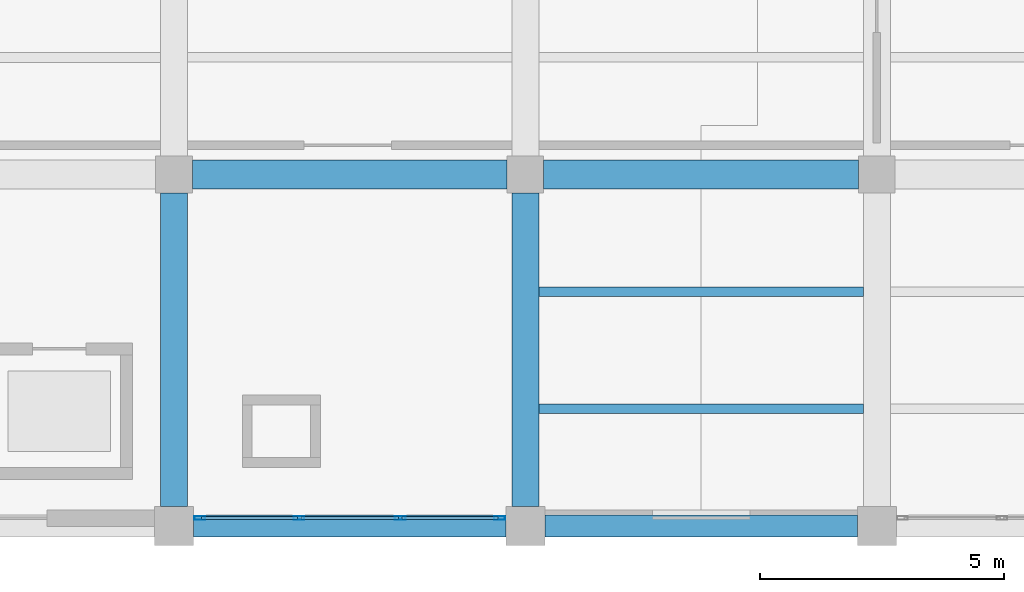
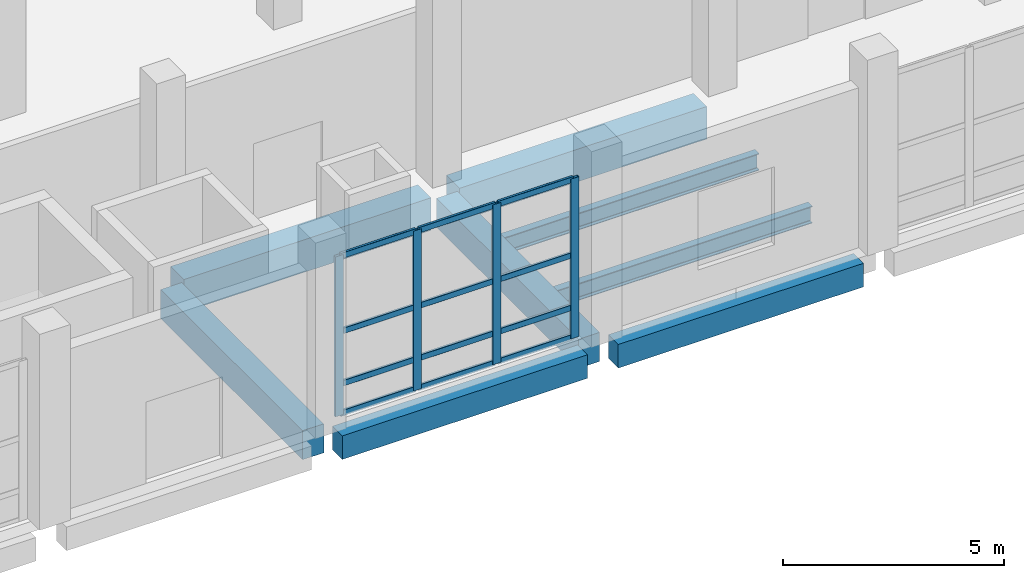
# One storey, part 62 of 137: 16 members, 8 beams, 1 element without a shape of its own.
"""IFC4 building model written with IfcOpenShell, lengths in metres."""

import ifcopenshell
import ifcopenshell.guid

model = None  # the IFC model being written
_history = None  # IfcOwnerHistory: only IFC2X3 demands one
_inside = {}  # id of a spatial element -> (the spatial element, [elements in it])
_under = {}  # id of a project, library or spatial element -> (it, [spatial elements below it])
_declared = {}  # id of a project -> (the project, [libraries it declares])
_typed = {}  # id of a type object -> (the type object, [elements of that type])
_made_of = {}  # id of a material, layer set ... -> (it, [elements and type objects made of it])


def new_model(schema):
    """Start an empty IFC model of exactly this schema.

    Asked for "IFC4X3", IfcOpenShell would pick the latest addendum, in which some entities
    have other attributes; the version numbers below select the first issue.
    IFC2X3 requires an IfcOwnerHistory on every rooted entity: one is made here for all.
    """
    global model, _history
    if schema == "IFC4X3":
        model = ifcopenshell.file(schema_version=(4, 3, 0, 0))
    else:
        model = ifcopenshell.file(schema=schema)
    _inside.clear()
    _under.clear()
    _declared.clear()
    _typed.clear()
    _made_of.clear()
    _history = None
    if model.schema == "IFC2X3":
        org = make("IfcOrganization", Name="unknown")
        user = make(
            "IfcPersonAndOrganization",
            ThePerson=make("IfcPerson", FamilyName="unknown"),
            TheOrganization=org,
        )
        app = make(
            "IfcApplication",
            ApplicationDeveloper=org,
            Version="unknown",
            ApplicationFullName="unknown",
            ApplicationIdentifier="unknown",
        )
        _history = make(
            "IfcOwnerHistory",
            OwningUser=user,
            OwningApplication=app,
            ChangeAction="ADDED",
            CreationDate=0,
        )
    return model


def make(cls, **values):
    """One entity of the class cls with the attributes given. An attribute that is None is left unset."""
    return model.create_entity(
        cls, **{name: value for name, value in values.items() if value is not None}
    )


def rooted(cls, **values):
    """An entity with a GlobalId (a new one), such as an element, a storey or a relation."""
    return make(cls, GlobalId=ifcopenshell.guid.new(), OwnerHistory=_history, **values)


def si_unit(unit_type, name, prefix=None):
    """IfcSIUnit, for example si_unit("LENGTHUNIT", "METRE", prefix="MILLI")."""
    return make("IfcSIUnit", UnitType=unit_type, Prefix=prefix, Name=name)


def assignment(units):
    """IfcUnitAssignment: the units of a project."""
    return None if units is None else make("IfcUnitAssignment", Units=units)


def point(xyz):
    """IfcCartesianPoint."""
    return None if xyz is None else make("IfcCartesianPoint", Coordinates=xyz)


def direction(xyz):
    """IfcDirection."""
    return None if xyz is None else make("IfcDirection", DirectionRatios=xyz)


def frame(location, z_axis=None, x_axis=None):
    """IfcAxis2Placement3D, a coordinate frame: its origin and axes. An axis left out is left unset."""
    return make(
        "IfcAxis2Placement3D",
        Location=point(location),
        Axis=direction(z_axis),
        RefDirection=direction(x_axis),
    )


def frame_2d(location, x_axis=None):
    """IfcAxis2Placement2D, a coordinate frame in the plane: its origin and x axis."""
    return make(
        "IfcAxis2Placement2D", Location=point(location), RefDirection=direction(x_axis)
    )


def origin():
    """The frame at (0, 0, 0) with its axes left unset."""
    return frame((0.0, 0.0, 0.0))


def origin_2d():
    """The frame at (0, 0) in the plane with its x axis left unset."""
    return frame_2d((0.0, 0.0))


def place(relative_to, where):
    """IfcLocalPlacement: puts the frame where relative to a parent placement (None: the world)."""
    return make(
        "IfcLocalPlacement", PlacementRelTo=relative_to, RelativePlacement=where
    )


def context(
    kind, dimensions, precision=None, world=None, true_north=None, identifier=None
):
    """IfcGeometricRepresentationContext, for example the 3D "Model" context."""
    return make(
        "IfcGeometricRepresentationContext",
        ContextIdentifier=identifier,
        ContextType=kind,
        CoordinateSpaceDimension=dimensions,
        Precision=precision,
        WorldCoordinateSystem=world,
        TrueNorth=true_north,
    )


def subcontext(parent, identifier, kind, view, scale=None):
    """IfcGeometricRepresentationSubContext, for example "Body" below "Model"."""
    return make(
        "IfcGeometricRepresentationSubContext",
        ContextIdentifier=identifier,
        ContextType=kind,
        ParentContext=parent,
        TargetScale=scale,
        TargetView=view,
    )


def project(units=None, contexts=None):
    """IfcProject with its units and contexts."""
    return rooted(
        "IfcProject",
        Name="project",
        RepresentationContexts=contexts,
        UnitsInContext=assignment(units),
    )


def spatial(cls, under=None, at=None, **own):
    """A site, building, storey or space (cls), placed at a placement, below another one or the project."""
    s = rooted(cls, ObjectPlacement=at, **own)
    if under is not None:
        _under.setdefault(under.id(), (under, []))[1].append(s)
    return s


def profile(cls, at=None, kind="AREA", **sizes):
    """A parametric profile (cls). Its sizes go by their IFC names, for example OverallWidth=200.0."""
    return make(cls, ProfileType=kind, Position=at, **sizes)


def rectangle(**sizes):
    """IfcRectangleProfileDef."""
    return profile("IfcRectangleProfileDef", **sizes)


def hollow_rectangle(**sizes):
    """IfcRectangleHollowProfileDef."""
    return profile("IfcRectangleHollowProfileDef", **sizes)


def i_section(**sizes):
    """IfcIShapeProfileDef."""
    return profile("IfcIShapeProfileDef", **sizes)


def extrude(swept, where, along, depth):
    """IfcExtrudedAreaSolid: the profile swept, set in the frame where, extruded along a direction by depth."""
    return make(
        "IfcExtrudedAreaSolid",
        SweptArea=swept,
        Position=where,
        ExtrudedDirection=direction(along),
        Depth=depth,
    )


def shape(context_of_items, identifier, shape_type, items):
    """IfcShapeRepresentation: the items that make up one representation, for example the "Body"."""
    return make(
        "IfcShapeRepresentation",
        ContextOfItems=context_of_items,
        RepresentationIdentifier=identifier,
        RepresentationType=shape_type,
        Items=items,
    )


def material(Name=None, Category=None):
    """IfcMaterial."""
    return make("IfcMaterial", Name=Name, Category=Category)


def material_profile(
    of_material, cross_section, Name=None, Category=None, Priority=None
):
    """IfcMaterialProfile: a cross section and its material."""
    return make(
        "IfcMaterialProfile",
        Name=Name,
        Material=of_material,
        Profile=cross_section,
        Priority=Priority,
        Category=Category,
    )


def profile_set(profiles, Name=None, composite=None):
    """IfcMaterialProfileSet."""
    return make(
        "IfcMaterialProfileSet",
        Name=Name,
        MaterialProfiles=profiles,
        CompositeProfile=composite,
    )


def made_of(thing, what):
    """Note that an element or type object is made of a material, layer set ...; save() writes the relation."""
    if what is not None:
        _made_of.setdefault(what.id(), (what, []))[1].append(thing)
    return thing


def type_object(cls, material=None, **own):
    """A type object (cls), such as IfcWallType, which elements share."""
    return made_of(rooted(cls, **own), material)


def element(
    cls,
    number,
    at=None,
    inside=None,
    cuts=None,
    type_object=None,
    material=None,
    context=None,
    identifier="Body",
    shape_type=None,
    held_by="IfcProductDefinitionShape",
    body=None,
    shapes=None,
    **own,
):
    """One element of the class cls, such as IfcWall. Its Tag is "e" and its number.

    at: its placement. inside: the storey or other place that contains it. cuts: it is an
    opening in that element (IfcRelVoidsElement). A single representation is given by context,
    identifier, shape_type and body (its items); several are given by shapes. held_by: the class
    of the entity that holds the representations. save() writes the other relations.
    """
    e = rooted(cls, Tag="e%d" % number, ObjectPlacement=at, **own)
    if body is not None:
        shapes = [shape(context, identifier, shape_type, body)]
    if shapes is not None:
        e.Representation = make(held_by, Representations=shapes)
    if inside is not None:
        _inside.setdefault(inside.id(), (inside, []))[1].append(e)
    if cuts is not None:
        rooted(
            "IfcRelVoidsElement", RelatingBuildingElement=cuts, RelatedOpeningElement=e
        )
    if type_object is not None:
        _typed.setdefault(type_object.id(), (type_object, []))[1].append(e)
    return made_of(e, material)


def aggregate(whole, parts):
    """IfcRelAggregates: a whole, such as a stair, and the parts it consists of."""
    return rooted("IfcRelAggregates", RelatingObject=whole, RelatedObjects=parts)


def save(model, path):
    """Write the relations noted so far, then the file.

    IfcRelAggregates (storeys below a building ...), IfcRelContainedInSpatialStructure (elements
    in a storey), IfcRelDefinesByType, IfcRelAssociatesMaterial and IfcRelDeclares: one each for
    every whole, place, type object, material and project.
    """
    for whole, parts in _under.values():
        aggregate(whole, parts)
    for where, things in _inside.values():
        rooted(
            "IfcRelContainedInSpatialStructure",
            RelatedElements=things,
            RelatingStructure=where,
        )
    for kind, things in _typed.values():
        rooted("IfcRelDefinesByType", RelatedObjects=things, RelatingType=kind)
    for what, things in _made_of.values():
        rooted("IfcRelAssociatesMaterial", RelatedObjects=things, RelatingMaterial=what)
    for by, libraries in _declared.values():
        rooted("IfcRelDeclares", RelatingContext=by, RelatedDefinitions=libraries)
    model.write(path)


model = new_model("IFC4")

# Units and contexts
model_context = context("Model", 3, precision=1e-05, world=origin(), true_north=direction((0.0, 1.0)))
body_context = subcontext(model_context, "Body", "Model", "MODEL_VIEW")
ifc_project = project(units=[si_unit("LENGTHUNIT", "METRE"), si_unit("AREAUNIT", "SQUARE_METRE"), si_unit("VOLUMEUNIT", "CUBIC_METRE"), si_unit("PLANEANGLEUNIT", "RADIAN"), si_unit("MASSUNIT", "GRAM", prefix="KILO")], contexts=[model_context])

# Site, building, storey
site_placement = place(None, origin())
site = spatial("IfcSite", under=ifc_project, at=site_placement, CompositionType="ELEMENT")
building_placement = place(site_placement, origin())
building = spatial("IfcBuilding", under=site, at=building_placement, Name="Kalmorath City Hall", CompositionType="ELEMENT")
storey_placement = place(building_placement, origin())
storey = spatial("IfcBuildingStorey", under=building, at=storey_placement, Name="L00", CompositionType="ELEMENT", Elevation=0.0)

# Beams
ifc_material_1 = material(Name="Concrete C40/50", Category="concrete")
ifc_material_profile_1 = material_profile(ifc_material_1, rectangle(XDim=0.550048828125, YDim=0.800048828125, at=origin_2d()), Name="RC-BM-550X800")
ifc_profile_set_1 = profile_set([ifc_material_profile_1], Name="Concrete C40/50")
beam_type_1 = type_object("IfcBeamType", Name="Concrete floor girder 550x800", PredefinedType="BEAM", material=ifc_profile_set_1)
for number, where, z_axis, x_axis, name in (
    (1, (129.60009765625, 0.39990234375, -0.7041015625), (0.0, 1.0, 0.0), (-1.0, 0.0, 0.0), "L00 girder CB2 Y19/1-2"),
    (2, (136.800048828125, 0.39990234375, -0.7041015625), (0.0, 1.0, 0.0), (-1.0, 0.0, 0.0), "L00 girder CB2 Y20/1-2"),
):
    element("IfcBeam", number, at=place(storey_placement, frame(where, z_axis=z_axis, x_axis=x_axis)), inside=storey, type_object=beam_type_1, Name=name, PredefinedType="BEAM", context=body_context, shape_type="SweptSolid", body=[
        extrude(rectangle(XDim=0.550048828125, YDim=0.800048828125, at=origin_2d()), origin(), (0.0, 0.0, 1.0), 6.425048828125),
    ])
ifc_material_2 = material(Name="Concrete C40/50", Category="concrete")
ifc_material_profile_2 = material_profile(ifc_material_2, rectangle(XDim=0.60009765625, YDim=0.89990234375, at=origin_2d()), Name="RC-BM-600X900")
ifc_profile_set_2 = profile_set([ifc_material_profile_2], Name="Concrete C40/50")
beam_type_2 = type_object("IfcBeamType", Name="Concrete floor girder 600x900", PredefinedType="BEAM", material=ifc_profile_set_2)
for number, where, z_axis, x_axis, name in (
    (3, (129.97509765625, 7.199951171875, -0.75390625), (1.0, 0.0, 0.0), (0.0, 1.0, 0.0), "L00 girder CB1 X19-20/2"),
    (4, (137.175048828125, 7.199951171875, -0.75390625), (1.0, 0.0, 0.0), (0.0, 1.0, 0.0), "L00 girder CB1 X20-21/2"),
):
    element("IfcBeam", number, at=place(storey_placement, frame(where, z_axis=z_axis, x_axis=x_axis)), inside=storey, type_object=beam_type_2, Name=name, PredefinedType="BEAM", context=body_context, shape_type="SweptSolid", body=[
        extrude(rectangle(XDim=0.60009765625, YDim=0.89990234375, at=origin_2d()), origin(), (0.0, 0.0, 1.0), 6.449951171875),
    ])
ifc_material_3 = material(Name="Concrete C40/50", Category="concrete")
ifc_material_profile_3 = material_profile(ifc_material_3, rectangle(XDim=0.449951171875, YDim=0.64990234375, at=origin_2d()), Name="RC-BM-450X650")
ifc_profile_set_3 = profile_set([ifc_material_profile_3], Name="Concrete C40/50")
beam_type_3 = type_object("IfcBeamType", Name="Concrete spandrel beam 450x650", PredefinedType="SPANDREL", material=ifc_profile_set_3)
beam_1_placement = place(storey_placement, frame((130.0, 0.0, -0.62890625), z_axis=(1.0, 0.0, 0.0), x_axis=(0.0, 1.0, 0.0)))
element("IfcBeam", 5, at=beam_1_placement, inside=storey, type_object=beam_type_3, Name="L00 girder CB5 X19-20/1", PredefinedType="SPANDREL", context=body_context, shape_type="SweptSolid", body=[
    extrude(rectangle(XDim=0.449951171875, YDim=0.64990234375, at=origin_2d()), origin(), (0.0, 0.0, 1.0), 6.39990234375),
])
beam_2_placement = place(storey_placement, frame((137.199951171875, 0.0, -0.62890625), z_axis=(1.0, 0.0, 0.0), x_axis=(0.0, 1.0, 0.0)))
element("IfcBeam", 6, at=beam_2_placement, inside=storey, type_object=beam_type_3, Name="L00 girder CB5 X20-21/1", PredefinedType="SPANDREL", context=body_context, shape_type="SweptSolid", body=[
    extrude(rectangle(XDim=0.449951171875, YDim=0.64990234375, at=origin_2d()), origin(), (0.0, 0.0, 1.0), 6.400146484375),
])

# Curtain wall, members
ifc_material_4 = material(Name="Anodised aluminium and laminated glass", Category="aluminium")
curtain_wall_type = type_object("IfcCurtainWallType", Name="Unitised hurricane curtain wall 6220x4411 M1800", PredefinedType="NOTDEFINED", material=ifc_material_4)
curtain_wall_placement = place(storey_placement, origin())
curtain_wall = element("IfcCurtainWall", 7, at=curtain_wall_placement, inside=storey, type_object=curtain_wall_type, Name="L00 curtain wall CW-62X44M18 #14", PredefinedType="NOTDEFINED")
ifc_material_5 = material(Name="Anodised aluminium framing", Category="aluminium")
ifc_material_profile_4 = material_profile(ifc_material_5, hollow_rectangle(XDim=0.074951171875, YDim=0.219970703125, WallThickness=0.00390625, InnerFilletRadius=0.00390625, OuterFilletRadius=0.008056640625, at=origin_2d()), Name="ALU-MUL-220X75X4")
ifc_profile_set_4 = profile_set([ifc_material_profile_4], Name="Anodised aluminium framing")
member_type_1 = type_object("IfcMemberType", Name="Curtain-wall primary mullion 220x75", PredefinedType="MULLION", material=ifc_profile_set_4)
member_1_placement = place(storey_placement, frame((136.2724609375, 0.159912109375, 0.0), z_axis=(0.0, 0.0, 1.0), x_axis=(0.0, -1.0, 0.0)))
member_1 = element("IfcMember", 8, at=member_1_placement, type_object=member_type_1, Name="CW-62X44M18 mullion 1", PredefinedType="MULLION", context=body_context, shape_type="SweptSolid", body=[
    extrude(hollow_rectangle(XDim=0.074951171875, YDim=0.219970703125, WallThickness=0.00390625, InnerFilletRadius=0.00390625, OuterFilletRadius=0.008056640625, at=origin_2d()), origin(), (0.0, 0.0, 1.0), 4.410888671875),
])
member_2_placement = place(storey_placement, frame((134.236572265625, 0.159912109375, 0.0), z_axis=(0.0, 0.0, 1.0), x_axis=(0.0, -1.0, 0.0)))
member_2 = element("IfcMember", 9, at=member_2_placement, type_object=member_type_1, Name="CW-62X44M18 mullion 2", PredefinedType="MULLION", context=body_context, shape_type="SweptSolid", body=[
    extrude(hollow_rectangle(XDim=0.074951171875, YDim=0.219970703125, WallThickness=0.00390625, InnerFilletRadius=0.00390625, OuterFilletRadius=0.008056640625, at=origin_2d()), origin(), (0.0, 0.0, 1.0), 4.410888671875),
])
member_3_placement = place(storey_placement, frame((132.163330078125, 0.159912109375, 0.0), z_axis=(0.0, 0.0, 1.0), x_axis=(0.0, -1.0, 0.0)))
member_3 = element("IfcMember", 10, at=member_3_placement, type_object=member_type_1, Name="CW-62X44M18 mullion 3", PredefinedType="MULLION", context=body_context, shape_type="SweptSolid", body=[
    extrude(hollow_rectangle(XDim=0.074951171875, YDim=0.219970703125, WallThickness=0.00390625, InnerFilletRadius=0.00390625, OuterFilletRadius=0.008056640625, at=origin_2d()), origin(), (0.0, 0.0, 1.0), 4.410888671875),
])
member_4_placement = place(storey_placement, frame((130.12744140625, 0.159912109375, 0.0), z_axis=(0.0, 0.0, 1.0), x_axis=(0.0, -1.0, 0.0)))
member_4 = element("IfcMember", 11, at=member_4_placement, type_object=member_type_1, Name="CW-62X44M18 mullion 4", PredefinedType="MULLION", context=body_context, shape_type="SweptSolid", body=[
    extrude(hollow_rectangle(XDim=0.074951171875, YDim=0.219970703125, WallThickness=0.00390625, InnerFilletRadius=0.00390625, OuterFilletRadius=0.008056640625, at=origin_2d()), origin(), (0.0, 0.0, 1.0), 4.410888671875),
])
ifc_material_6 = material(Name="Anodised aluminium framing", Category="aluminium")
ifc_material_profile_5 = material_profile(ifc_material_6, hollow_rectangle(XDim=0.06494140625, YDim=0.159912109375, WallThickness=0.00390625, InnerFilletRadius=0.00390625, OuterFilletRadius=0.008056640625, at=origin_2d()), Name="ALU-TRN-160X65X4")
ifc_profile_set_5 = profile_set([ifc_material_profile_5], Name="Anodised aluminium framing")
member_type_2 = type_object("IfcMemberType", Name="Curtain-wall primary transom 160x65", PredefinedType="USERDEFINED", material=ifc_profile_set_5)
member_5_placement = place(storey_placement, frame((136.235107421875, 0.159912109375, 0.032470703125), z_axis=(-1.0, 0.0, 0.0), x_axis=(0.0, -1.0, 0.0)))
member_5 = element("IfcMember", 12, at=member_5_placement, type_object=member_type_2, Name="CW-62X44M18 transom 1.1", ObjectType="TRANSOM", PredefinedType="USERDEFINED", context=body_context, shape_type="SweptSolid", body=[
    extrude(hollow_rectangle(XDim=0.06494140625, YDim=0.159912109375, WallThickness=0.00390625, InnerFilletRadius=0.00390625, OuterFilletRadius=0.008056640625, at=origin_2d()), origin(), (0.0, 0.0, 1.0), 1.9609375),
])
member_6_placement = place(storey_placement, frame((136.235107421875, 0.159912109375, 0.85009765625), z_axis=(-1.0, 0.0, 0.0), x_axis=(0.0, -1.0, 0.0)))
member_6 = element("IfcMember", 13, at=member_6_placement, type_object=member_type_2, Name="CW-62X44M18 transom 1.2", ObjectType="TRANSOM", PredefinedType="USERDEFINED", context=body_context, shape_type="SweptSolid", body=[
    extrude(hollow_rectangle(XDim=0.06494140625, YDim=0.159912109375, WallThickness=0.00390625, InnerFilletRadius=0.00390625, OuterFilletRadius=0.008056640625, at=origin_2d()), origin(), (0.0, 0.0, 1.0), 1.9609375),
])
member_7_placement = place(storey_placement, frame((136.235107421875, 0.159912109375, 2.2939453125), z_axis=(-1.0, 0.0, 0.0), x_axis=(0.0, -1.0, 0.0)))
member_7 = element("IfcMember", 14, at=member_7_placement, type_object=member_type_2, Name="CW-62X44M18 transom 1.3", ObjectType="TRANSOM", PredefinedType="USERDEFINED", context=body_context, shape_type="SweptSolid", body=[
    extrude(hollow_rectangle(XDim=0.06494140625, YDim=0.159912109375, WallThickness=0.00390625, InnerFilletRadius=0.00390625, OuterFilletRadius=0.008056640625, at=origin_2d()), origin(), (0.0, 0.0, 1.0), 1.9609375),
])
member_8_placement = place(storey_placement, frame((136.235107421875, 0.159912109375, 4.37841796875), z_axis=(-1.0, 0.0, 0.0), x_axis=(0.0, -1.0, 0.0)))
member_8 = element("IfcMember", 15, at=member_8_placement, type_object=member_type_2, Name="CW-62X44M18 transom 1.4", ObjectType="TRANSOM", PredefinedType="USERDEFINED", context=body_context, shape_type="SweptSolid", body=[
    extrude(hollow_rectangle(XDim=0.06494140625, YDim=0.159912109375, WallThickness=0.00390625, InnerFilletRadius=0.00390625, OuterFilletRadius=0.008056640625, at=origin_2d()), origin(), (0.0, 0.0, 1.0), 1.9609375),
])
member_9_placement = place(storey_placement, frame((134.19921875, 0.159912109375, 0.032470703125), z_axis=(-1.0, 0.0, 0.0), x_axis=(0.0, -1.0, 0.0)))
member_9 = element("IfcMember", 16, at=member_9_placement, type_object=member_type_2, Name="CW-62X44M18 transom 2.1", ObjectType="TRANSOM", PredefinedType="USERDEFINED", context=body_context, shape_type="SweptSolid", body=[
    extrude(hollow_rectangle(XDim=0.06494140625, YDim=0.159912109375, WallThickness=0.00390625, InnerFilletRadius=0.00390625, OuterFilletRadius=0.008056640625, at=origin_2d()), origin(), (0.0, 0.0, 1.0), 1.998291015625),
])
member_10_placement = place(storey_placement, frame((134.19921875, 0.159912109375, 0.85009765625), z_axis=(-1.0, 0.0, 0.0), x_axis=(0.0, -1.0, 0.0)))
member_10 = element("IfcMember", 17, at=member_10_placement, type_object=member_type_2, Name="CW-62X44M18 transom 2.2", ObjectType="TRANSOM", PredefinedType="USERDEFINED", context=body_context, shape_type="SweptSolid", body=[
    extrude(hollow_rectangle(XDim=0.06494140625, YDim=0.159912109375, WallThickness=0.00390625, InnerFilletRadius=0.00390625, OuterFilletRadius=0.008056640625, at=origin_2d()), origin(), (0.0, 0.0, 1.0), 1.998291015625),
])
member_11_placement = place(storey_placement, frame((134.19921875, 0.159912109375, 2.2939453125), z_axis=(-1.0, 0.0, 0.0), x_axis=(0.0, -1.0, 0.0)))
member_11 = element("IfcMember", 18, at=member_11_placement, type_object=member_type_2, Name="CW-62X44M18 transom 2.3", ObjectType="TRANSOM", PredefinedType="USERDEFINED", context=body_context, shape_type="SweptSolid", body=[
    extrude(hollow_rectangle(XDim=0.06494140625, YDim=0.159912109375, WallThickness=0.00390625, InnerFilletRadius=0.00390625, OuterFilletRadius=0.008056640625, at=origin_2d()), origin(), (0.0, 0.0, 1.0), 1.998291015625),
])
member_12_placement = place(storey_placement, frame((134.19921875, 0.159912109375, 4.37841796875), z_axis=(-1.0, 0.0, 0.0), x_axis=(0.0, -1.0, 0.0)))
member_12 = element("IfcMember", 19, at=member_12_placement, type_object=member_type_2, Name="CW-62X44M18 transom 2.4", ObjectType="TRANSOM", PredefinedType="USERDEFINED", context=body_context, shape_type="SweptSolid", body=[
    extrude(hollow_rectangle(XDim=0.06494140625, YDim=0.159912109375, WallThickness=0.00390625, InnerFilletRadius=0.00390625, OuterFilletRadius=0.008056640625, at=origin_2d()), origin(), (0.0, 0.0, 1.0), 1.998291015625),
])
member_13_placement = place(storey_placement, frame((132.125732421875, 0.159912109375, 0.032470703125), z_axis=(-1.0, 0.0, 0.0), x_axis=(0.0, -1.0, 0.0)))
member_13 = element("IfcMember", 20, at=member_13_placement, type_object=member_type_2, Name="CW-62X44M18 transom 3.1", ObjectType="TRANSOM", PredefinedType="USERDEFINED", context=body_context, shape_type="SweptSolid", body=[
    extrude(hollow_rectangle(XDim=0.06494140625, YDim=0.159912109375, WallThickness=0.00390625, InnerFilletRadius=0.00390625, OuterFilletRadius=0.008056640625, at=origin_2d()), origin(), (0.0, 0.0, 1.0), 1.960693359375),
])
member_14_placement = place(storey_placement, frame((132.125732421875, 0.159912109375, 0.85009765625), z_axis=(-1.0, 0.0, 0.0), x_axis=(0.0, -1.0, 0.0)))
member_14 = element("IfcMember", 21, at=member_14_placement, type_object=member_type_2, Name="CW-62X44M18 transom 3.2", ObjectType="TRANSOM", PredefinedType="USERDEFINED", context=body_context, shape_type="SweptSolid", body=[
    extrude(hollow_rectangle(XDim=0.06494140625, YDim=0.159912109375, WallThickness=0.00390625, InnerFilletRadius=0.00390625, OuterFilletRadius=0.008056640625, at=origin_2d()), origin(), (0.0, 0.0, 1.0), 1.960693359375),
])
member_15_placement = place(storey_placement, frame((132.125732421875, 0.159912109375, 2.2939453125), z_axis=(-1.0, 0.0, 0.0), x_axis=(0.0, -1.0, 0.0)))
member_15 = element("IfcMember", 22, at=member_15_placement, type_object=member_type_2, Name="CW-62X44M18 transom 3.3", ObjectType="TRANSOM", PredefinedType="USERDEFINED", context=body_context, shape_type="SweptSolid", body=[
    extrude(hollow_rectangle(XDim=0.06494140625, YDim=0.159912109375, WallThickness=0.00390625, InnerFilletRadius=0.00390625, OuterFilletRadius=0.008056640625, at=origin_2d()), origin(), (0.0, 0.0, 1.0), 1.960693359375),
])
member_16_placement = place(storey_placement, frame((132.125732421875, 0.159912109375, 4.37841796875), z_axis=(-1.0, 0.0, 0.0), x_axis=(0.0, -1.0, 0.0)))
member_16 = element("IfcMember", 23, at=member_16_placement, type_object=member_type_2, Name="CW-62X44M18 transom 3.4", ObjectType="TRANSOM", PredefinedType="USERDEFINED", context=body_context, shape_type="SweptSolid", body=[
    extrude(hollow_rectangle(XDim=0.06494140625, YDim=0.159912109375, WallThickness=0.00390625, InnerFilletRadius=0.00390625, OuterFilletRadius=0.008056640625, at=origin_2d()), origin(), (0.0, 0.0, 1.0), 1.960693359375),
])
aggregate(curtain_wall, [member_1, member_2, member_3, member_4, member_5, member_6, member_7, member_8, member_9, member_10, member_11, member_12, member_13, member_14, member_15, member_16])

# Beams
ifc_material_7 = material(Name="Steel ASTM A992 Grade 50", Category="steel")
ifc_material_profile_6 = material_profile(ifc_material_7, i_section(OverallWidth=0.193115234375, OverallDepth=0.466064453125, WebThickness=0.011474609375, FlangeThickness=0.01904296875, FilletRadius=0.013916015625, at=origin_2d()), Name="W18X65")
ifc_profile_set_6 = profile_set([ifc_material_profile_6], Name="Steel ASTM A992 Grade 50")
beam_type_4 = type_object("IfcBeamType", Name="Steel composite joist W18X65", PredefinedType="JOIST", material=ifc_profile_set_6)
for number, where, z_axis, x_axis, name in (
    (24, (137.074951171875, 2.39990234375, -0.537109375), (1.0, 0.0, 0.0), (0.0, 1.0, 0.0), "L00 joist SJ1 20.1.1"),
    (25, (137.074951171875, 4.800048828125, -0.537109375), (1.0, 0.0, 0.0), (0.0, 1.0, 0.0), "L00 joist SJ1 20.1.2"),
):
    element("IfcBeam", number, at=place(storey_placement, frame(where, z_axis=z_axis, x_axis=x_axis)), inside=storey, type_object=beam_type_4, Name=name, PredefinedType="JOIST", context=body_context, shape_type="SweptSolid", body=[
        extrude(i_section(OverallWidth=0.193115234375, OverallDepth=0.466064453125, WebThickness=0.011474609375, FlangeThickness=0.01904296875, FilletRadius=0.013916015625, at=origin_2d()), origin(), (0.0, 0.0, 1.0), 6.650146484375),
    ])

save(model, "model.ifc")
